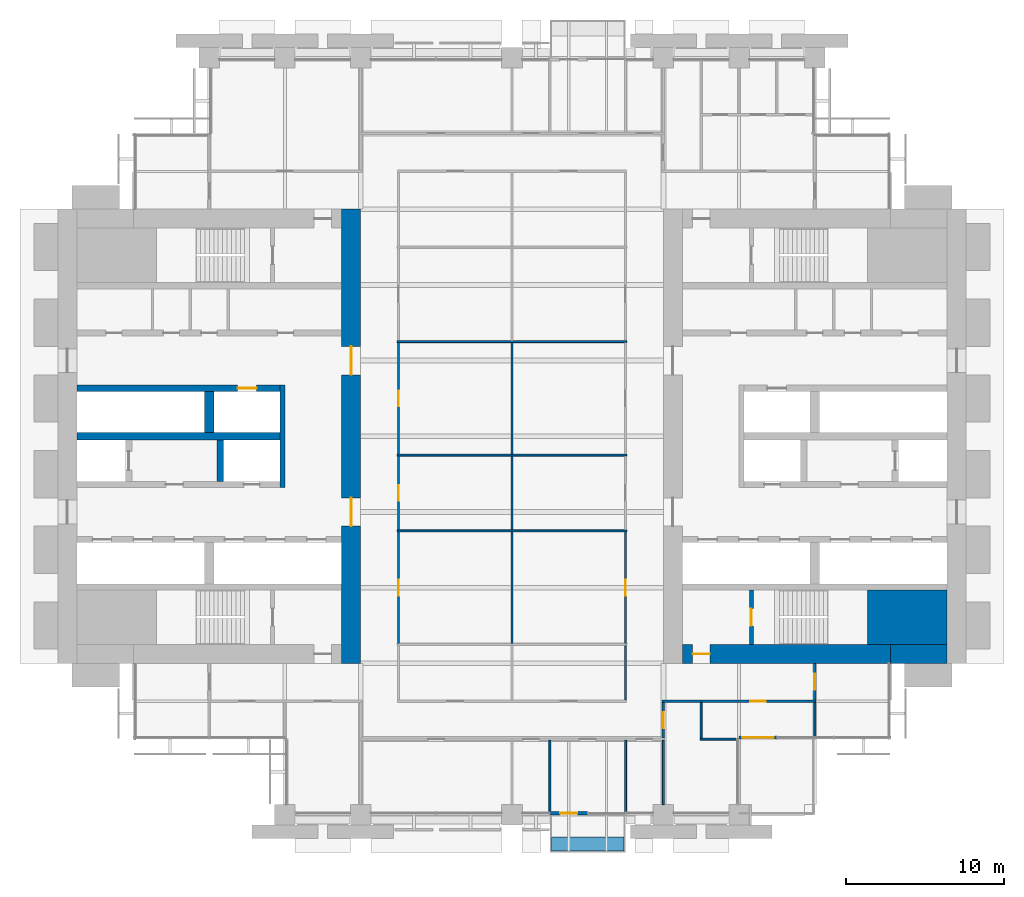
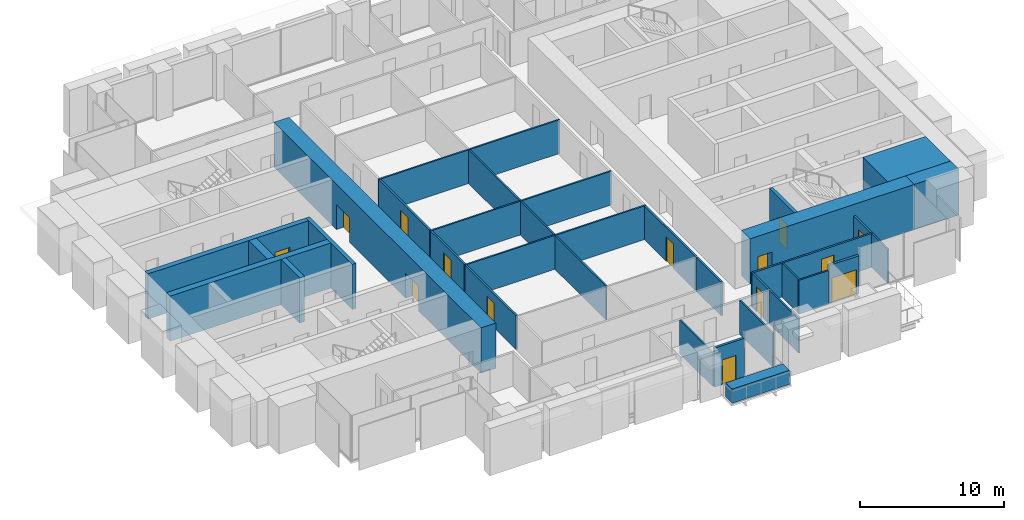
# One storey, part 10 of 15: 33 walls, 14 doors, 14 openings.
"""IFC4 building model written with IfcOpenShell, lengths in metres."""

from ifc_helpers import new_model, si_unit, direction, frame, frame_2d, origin, place, context, subcontext, project, spatial, rectangle, extrude, material, layer, layer_set, type_object, element, fill, save


model = new_model("IFC4")

# Units and contexts
model_context = context("Model", 3, precision=1e-05, world=origin(), true_north=direction((0.0, 1.0)))
body_context = subcontext(model_context, "Body", "Model", "MODEL_VIEW")
ifc_project = project(units=[si_unit("LENGTHUNIT", "METRE"), si_unit("AREAUNIT", "SQUARE_METRE"), si_unit("VOLUMEUNIT", "CUBIC_METRE"), si_unit("PLANEANGLEUNIT", "RADIAN"), si_unit("MASSUNIT", "GRAM", prefix="KILO")], contexts=[model_context])

# Site, building, storey
site_placement = place(None, origin())
site = spatial("IfcSite", under=ifc_project, at=site_placement, CompositionType="ELEMENT")
building_placement = place(site_placement, origin())
building = spatial("IfcBuilding", under=site, at=building_placement, Name="Baori Bourse Tower", CompositionType="ELEMENT")
storey_placement = place(building_placement, frame((0.0, 0.0, 59.0)))
storey = spatial("IfcBuildingStorey", under=building, at=storey_placement, Name="L12", CompositionType="ELEMENT", Elevation=59.0)

# Wall
ifc_material_1 = material(Name="Concrete f'c 70 MPa", Category="concrete")
wall_type_1 = type_object("IfcWallType", Name="Core corner block f'c 70", PredefinedType="SHEAR", material=ifc_material_1)
wall_1_placement = place(storey_placement, frame((51.35009765625, 12.52490234375, 0.0), z_axis=(0.0, 0.0, 1.0), x_axis=(1.0, 0.0, 0.0)))
element("IfcWall", 1, at=wall_1_placement, inside=storey, type_object=wall_type_1, Name="Core wall E05", PredefinedType="SHEAR", context=body_context, shape_type="SweptSolid", body=[
    extrude(rectangle(XDim=5.0498046875, YDim=3.449951171875, at=frame_2d((2.52490234375, 0.0))), origin(), (0.0, 0.0, 1.0), 3.840087890625),
])

# Wall, openings, doors
ifc_material_2 = material(Name="Concrete f'c 70 MPa", Category="concrete")
ifc_layer_1 = layer(ifc_material_2, 1.199951171875)
ifc_layer_set_1 = layer_set([ifc_layer_1], Name="Core wall 1200 f'c 70")
wall_type_2 = type_object("IfcWallType", Name="Core wall 1200 f'c 70", PredefinedType="SHEAR", material=ifc_layer_set_1)
wall_2_placement = place(storey_placement, frame((18.60009765625, 38.39990234375, 0.0), z_axis=(0.0, 0.0, 1.0), x_axis=(0.0, -1.0, 0.0)))
wall_2 = element("IfcWall", 2, at=wall_2_placement, inside=storey, type_object=wall_type_2, Name="Core wall W04", PredefinedType="SHEAR", context=body_context, shape_type="SweptSolid", body=[
    extrude(rectangle(XDim=28.7998046875, YDim=1.199951171875, at=frame_2d((14.39990234375, 0.0))), origin(), (0.0, 0.0, 1.0), 3.840087890625),
])
opening_1_placement = place(wall_2_placement, frame((18.300048828125, 0.0, 0.0)))
opening_1 = element("IfcOpeningElement", 3, at=opening_1_placement, cuts=wall_2, Name="Opening L12-D107", PredefinedType="OPENING", context=body_context, shape_type="SweptSolid", body=[
    extrude(rectangle(XDim=1.800048828125, YDim=2.10009765625, at=frame_2d((0.89990234375, 1.050048828125))), frame((0.0, 0.60986328125, 0.0), z_axis=(0.0, -1.0, 0.0), x_axis=(1.0, 0.0, 0.0)), (0.0, 0.0, 1.0), 1.219970703125),
])
opening_2_placement = place(wall_2_placement, frame((8.699951171875, 0.0, 0.0)))
opening_2 = element("IfcOpeningElement", 4, at=opening_2_placement, cuts=wall_2, Name="Opening L12-D108", PredefinedType="OPENING", context=body_context, shape_type="SweptSolid", body=[
    extrude(rectangle(XDim=1.800048828125, YDim=2.10009765625, at=frame_2d((0.89990234375, 1.050048828125))), frame((0.0, 0.60986328125, 0.0), z_axis=(0.0, -1.0, 0.0), x_axis=(1.0, 0.0, 0.0)), (0.0, 0.0, 1.0), 1.219970703125),
])
ifc_material_3 = material(Name="Painted steel door", Category="steel")
door_type_1 = type_object("IfcDoorType", Name="Core lobby door 1800", OperationType="DOUBLE_DOOR_SINGLE_SWING", PredefinedType="DOOR", material=ifc_material_3)
door_1_placement = place(opening_1_placement, origin())
door_1 = element("IfcDoor", 5, at=door_1_placement, inside=storey, type_object=door_type_1, Name="Lobby door W L12", OperationType="DOUBLE_DOOR_SINGLE_SWING", OverallHeight=2.10009765625, OverallWidth=1.800048828125, PredefinedType="DOOR", context=body_context, shape_type="SweptSolid", body=[
    extrude(rectangle(XDim=1.800048828125, YDim=2.10009765625, at=frame_2d((0.89990234375, 1.050048828125))), frame((0.0, 0.02490234375, 0.0), z_axis=(0.0, -1.0, 0.0), x_axis=(1.0, 0.0, 0.0)), (0.0, 0.0, 1.0), 0.050048828125),
])
fill(opening_1, door_1)
door_2_placement = place(opening_2_placement, origin())
door_2 = element("IfcDoor", 6, at=door_2_placement, inside=storey, type_object=door_type_1, Name="Lobby door W L12", OperationType="DOUBLE_DOOR_SINGLE_SWING", OverallHeight=2.10009765625, OverallWidth=1.800048828125, PredefinedType="DOOR", context=body_context, shape_type="SweptSolid", body=[
    extrude(rectangle(XDim=1.800048828125, YDim=2.10009765625, at=frame_2d((0.89990234375, 1.050048828125))), frame((0.0, 0.02490234375, 0.0), z_axis=(0.0, -1.0, 0.0), x_axis=(1.0, 0.0, 0.0)), (0.0, 0.0, 1.0), 0.050048828125),
])
fill(opening_2, door_2)

# Wall
wall_3_placement = place(storey_placement, frame((56.39990234375, 10.199951171875, 0.0), z_axis=(0.0, 0.0, 1.0), x_axis=(-1.0, 0.0, 0.0)))
element("IfcWall", 7, at=wall_3_placement, inside=storey, type_object=wall_type_2, Name="Core wall E02", PredefinedType="SHEAR", context=body_context, shape_type="SweptSolid", body=[
    extrude(rectangle(XDim=3.599853515625, YDim=1.199951171875, at=frame_2d((1.7998046875, 0.0))), origin(), (0.0, 0.0, 1.0), 3.840087890625),
])

# Wall, opening, door
wall_4_placement = place(storey_placement, frame((52.800048828125, 10.199951171875, 0.0), z_axis=(0.0, 0.0, 1.0), x_axis=(-1.0, 0.0, 0.0)))
wall_4 = element("IfcWall", 8, at=wall_4_placement, inside=storey, type_object=wall_type_2, Name="Core wall E03", PredefinedType="SHEAR", context=body_context, shape_type="SweptSolid", body=[
    extrude(rectangle(XDim=13.199951171875, YDim=1.199951171875, at=frame_2d((6.60009765625, 0.0))), origin(), (0.0, 0.0, 1.0), 3.840087890625),
])
opening_3_placement = place(wall_4_placement, frame((11.449951171875, 0.0, 0.0)))
opening_3 = element("IfcOpeningElement", 9, at=opening_3_placement, cuts=wall_4, Name="Opening L12-D202", PredefinedType="OPENING", context=body_context, shape_type="SweptSolid", body=[
    extrude(rectangle(XDim=1.10009765625, YDim=2.10009765625, at=frame_2d((0.550048828125, 1.050048828125))), frame((0.0, 0.60986328125, 0.0), z_axis=(0.0, -1.0, 0.0), x_axis=(1.0, 0.0, 0.0)), (0.0, 0.0, 1.0), 1.219970703125),
])
ifc_material_4 = material(Name="Painted steel door", Category="steel")
door_type_2 = type_object("IfcDoorType", Name="Stair door 1100", OperationType="SINGLE_SWING_LEFT", PredefinedType="DOOR", material=ifc_material_4)
door_3_placement = place(opening_3_placement, origin())
door_3 = element("IfcDoor", 10, at=door_3_placement, inside=storey, type_object=door_type_2, Name="Stair vestibule door A E L12", OperationType="SINGLE_SWING_LEFT", OverallHeight=2.10009765625, OverallWidth=1.10009765625, PredefinedType="DOOR", context=body_context, shape_type="SweptSolid", body=[
    extrude(rectangle(XDim=1.10009765625, YDim=2.10009765625, at=frame_2d((0.550048828125, 1.050048828125))), frame((0.0, 0.02490234375, 0.0), z_axis=(0.0, -1.0, 0.0), x_axis=(1.0, 0.0, 0.0)), (0.0, 0.0, 1.0), 0.050048828125),
])
fill(opening_3, door_3)

ifc_material_5 = material(Name="Gypsum board partition")
ifc_layer_2 = layer(ifc_material_5, 0.14990234375)
ifc_layer_set_2 = layer_set([ifc_layer_2], Name="Corridor partition 150")
wall_type_3 = type_object("IfcWallType", Name="Corridor partition 150", PredefinedType="PARTITIONING", material=ifc_layer_set_2)
wall_5_placement = place(storey_placement, frame((38.324951171875, 7.199951171875, 0.0), z_axis=(0.0, 0.0, 1.0), x_axis=(1.0, 0.0, 0.0)))
wall_5 = element("IfcWall", 11, at=wall_5_placement, inside=storey, type_object=wall_type_3, Name="Partition", PredefinedType="PARTITIONING", context=body_context, shape_type="SweptSolid", body=[
    extrude(rectangle(XDim=9.75, YDim=0.14990234375, at=frame_2d((4.875, 0.0))), origin(), (0.0, 0.0, 1.0), 2.86962890625),
])
opening_4_placement = place(wall_5_placement, frame((5.574951171875, 0.0, 0.0)))
opening_4 = element("IfcOpeningElement", 12, at=opening_4_placement, cuts=wall_5, Name="Opening L12-D09", PredefinedType="OPENING", context=body_context, shape_type="SweptSolid", body=[
    extrude(rectangle(XDim=1.0, YDim=2.10009765625, at=frame_2d((0.5, 1.050048828125))), frame((0.0, 0.0849609375, 0.0), z_axis=(0.0, -1.0, 0.0), x_axis=(1.0, 0.0, 0.0)), (0.0, 0.0, 1.0), 0.169921875),
])
ifc_material_6 = material(Name="Timber door leaf", Category="wood")
door_type_3 = type_object("IfcDoorType", Name="Door 1000 x 2100", OperationType="SINGLE_SWING_LEFT", PredefinedType="DOOR", material=ifc_material_6)
door_4_placement = place(opening_4_placement, origin())
door_4 = element("IfcDoor", 13, at=door_4_placement, inside=storey, type_object=door_type_3, Name="Door", OperationType="SINGLE_SWING_RIGHT", OverallHeight=2.10009765625, OverallWidth=1.0, PredefinedType="DOOR", context=body_context, shape_type="SweptSolid", body=[
    extrude(rectangle(XDim=1.0, YDim=2.10009765625, at=frame_2d((0.5, 1.050048828125))), frame((0.0, 0.02490234375, 0.0), z_axis=(0.0, -1.0, 0.0), x_axis=(1.0, 0.0, 0.0)), (0.0, 0.0, 1.0), 0.050048828125),
])
fill(opening_4, door_4)

wall_6_placement = place(storey_placement, frame((21.60009765625, 10.862548828125, 0.0), z_axis=(0.0, 0.0, 1.0), x_axis=(0.0, 1.0, 0.0)))
wall_6 = element("IfcWall", 14, at=wall_6_placement, inside=storey, type_object=wall_type_3, Name="Partition", PredefinedType="PARTITIONING", context=body_context, shape_type="SweptSolid", body=[
    extrude(rectangle(XDim=7.074951171875, YDim=0.14990234375, at=frame_2d((3.53759765625, 0.0))), origin(), (0.0, 0.0, 1.0), 2.86962890625),
])
opening_5_placement = place(wall_6_placement, frame((3.03759765625, 0.0, 0.0)))
opening_5 = element("IfcOpeningElement", 15, at=opening_5_placement, cuts=wall_6, Name="Opening L12-D23", PredefinedType="OPENING", context=body_context, shape_type="SweptSolid", body=[
    extrude(rectangle(XDim=1.0, YDim=2.10009765625, at=frame_2d((0.5, 1.050048828125))), frame((0.0, 0.0849609375, 0.0), z_axis=(0.0, -1.0, 0.0), x_axis=(1.0, 0.0, 0.0)), (0.0, 0.0, 1.0), 0.169921875),
])
door_5_placement = place(opening_5_placement, origin())
door_5 = element("IfcDoor", 16, at=door_5_placement, inside=storey, type_object=door_type_3, Name="Door", OperationType="SINGLE_SWING_LEFT", OverallHeight=2.10009765625, OverallWidth=1.0, PredefinedType="DOOR", context=body_context, shape_type="SweptSolid", body=[
    extrude(rectangle(XDim=1.0, YDim=2.10009765625, at=frame_2d((0.5, 1.050048828125))), frame((0.0, 0.02490234375, 0.0), z_axis=(0.0, -1.0, 0.0), x_axis=(1.0, 0.0, 0.0)), (0.0, 0.0, 1.0), 0.050048828125),
])
fill(opening_5, door_5)

wall_7_placement = place(storey_placement, frame((21.60009765625, 18.0625, 0.0), z_axis=(0.0, 0.0, 1.0), x_axis=(0.0, 1.0, 0.0)))
wall_7 = element("IfcWall", 17, at=wall_7_placement, inside=storey, type_object=wall_type_3, Name="Partition", PredefinedType="PARTITIONING", context=body_context, shape_type="SweptSolid", body=[
    extrude(rectangle(XDim=4.675048828125, YDim=0.14990234375, at=frame_2d((2.33740234375, 0.0))), origin(), (0.0, 0.0, 1.0), 2.86962890625),
])
opening_6_placement = place(wall_7_placement, frame((1.83740234375, 0.0, 0.0)))
opening_6 = element("IfcOpeningElement", 18, at=opening_6_placement, cuts=wall_7, Name="Opening L12-D24", PredefinedType="OPENING", context=body_context, shape_type="SweptSolid", body=[
    extrude(rectangle(XDim=1.0, YDim=2.10009765625, at=frame_2d((0.5, 1.050048828125))), frame((0.0, 0.0849609375, 0.0), z_axis=(0.0, -1.0, 0.0), x_axis=(1.0, 0.0, 0.0)), (0.0, 0.0, 1.0), 0.169921875),
])
door_6_placement = place(opening_6_placement, origin())
door_6 = element("IfcDoor", 19, at=door_6_placement, inside=storey, type_object=door_type_3, Name="Door", OperationType="SINGLE_SWING_LEFT", OverallHeight=2.10009765625, OverallWidth=1.0, PredefinedType="DOOR", context=body_context, shape_type="SweptSolid", body=[
    extrude(rectangle(XDim=1.0, YDim=2.10009765625, at=frame_2d((0.5, 1.050048828125))), frame((0.0, 0.02490234375, 0.0), z_axis=(0.0, -1.0, 0.0), x_axis=(1.0, 0.0, 0.0)), (0.0, 0.0, 1.0), 0.050048828125),
])
fill(opening_6, door_6)

wall_8_placement = place(storey_placement, frame((21.60009765625, 22.862548828125, 0.0), z_axis=(0.0, 0.0, 1.0), x_axis=(0.0, 1.0, 0.0)))
wall_8 = element("IfcWall", 20, at=wall_8_placement, inside=storey, type_object=wall_type_3, Name="Partition", PredefinedType="PARTITIONING", context=body_context, shape_type="SweptSolid", body=[
    extrude(rectangle(XDim=7.074951171875, YDim=0.14990234375, at=frame_2d((3.53759765625, 0.0))), origin(), (0.0, 0.0, 1.0), 2.86962890625),
])
opening_7_placement = place(wall_8_placement, frame((3.03759765625, 0.0, 0.0)))
opening_7 = element("IfcOpeningElement", 21, at=opening_7_placement, cuts=wall_8, Name="Opening L12-D25", PredefinedType="OPENING", context=body_context, shape_type="SweptSolid", body=[
    extrude(rectangle(XDim=1.0, YDim=2.10009765625, at=frame_2d((0.5, 1.050048828125))), frame((0.0, 0.0849609375, 0.0), z_axis=(0.0, -1.0, 0.0), x_axis=(1.0, 0.0, 0.0)), (0.0, 0.0, 1.0), 0.169921875),
])
door_7_placement = place(opening_7_placement, origin())
door_7 = element("IfcDoor", 22, at=door_7_placement, inside=storey, type_object=door_type_3, Name="Door", OperationType="SINGLE_SWING_LEFT", OverallHeight=2.10009765625, OverallWidth=1.0, PredefinedType="DOOR", context=body_context, shape_type="SweptSolid", body=[
    extrude(rectangle(XDim=1.0, YDim=2.10009765625, at=frame_2d((0.5, 1.050048828125))), frame((0.0, 0.02490234375, 0.0), z_axis=(0.0, -1.0, 0.0), x_axis=(1.0, 0.0, 0.0)), (0.0, 0.0, 1.0), 0.050048828125),
])
fill(opening_7, door_7)

# Wall
wall_9_placement = place(storey_placement, frame((36.0, 7.27490234375, 0.0), z_axis=(0.0, 0.0, 1.0), x_axis=(0.0, 1.0, 0.0)))
element("IfcWall", 23, at=wall_9_placement, inside=storey, type_object=wall_type_3, Name="Partition", PredefinedType="PARTITIONING", context=body_context, shape_type="SweptSolid", body=[
    extrude(rectangle(XDim=3.462646484375, YDim=0.14990234375, at=frame_2d((1.7314453125, 0.0))), origin(), (0.0, 0.0, 1.0), 2.86962890625),
])

# Wall, opening, door
wall_10_placement = place(storey_placement, frame((36.0, 10.862548828125, 0.0), z_axis=(0.0, 0.0, 1.0), x_axis=(0.0, 1.0, 0.0)))
wall_10 = element("IfcWall", 24, at=wall_10_placement, inside=storey, type_object=wall_type_3, Name="Partition", PredefinedType="PARTITIONING", context=body_context, shape_type="SweptSolid", body=[
    extrude(rectangle(XDim=7.074951171875, YDim=0.14990234375, at=frame_2d((3.53759765625, 0.0))), origin(), (0.0, 0.0, 1.0), 2.86962890625),
])
opening_8_placement = place(wall_10_placement, frame((3.03759765625, 0.0, 0.0)))
opening_8 = element("IfcOpeningElement", 25, at=opening_8_placement, cuts=wall_10, Name="Opening L12-D27", PredefinedType="OPENING", context=body_context, shape_type="SweptSolid", body=[
    extrude(rectangle(XDim=1.0, YDim=2.10009765625, at=frame_2d((0.5, 1.050048828125))), frame((0.0, 0.0849609375, 0.0), z_axis=(0.0, -1.0, 0.0), x_axis=(1.0, 0.0, 0.0)), (0.0, 0.0, 1.0), 0.169921875),
])
door_8_placement = place(opening_8_placement, origin())
door_8 = element("IfcDoor", 26, at=door_8_placement, inside=storey, type_object=door_type_3, Name="Door", OperationType="SINGLE_SWING_RIGHT", OverallHeight=2.10009765625, OverallWidth=1.0, PredefinedType="DOOR", context=body_context, shape_type="SweptSolid", body=[
    extrude(rectangle(XDim=1.0, YDim=2.10009765625, at=frame_2d((0.5, 1.050048828125))), frame((0.0, 0.02490234375, 0.0), z_axis=(0.0, -1.0, 0.0), x_axis=(1.0, 0.0, 0.0)), (0.0, 0.0, 1.0), 0.050048828125),
])
fill(opening_8, door_8)

wall_11_placement = place(storey_placement, frame((38.39990234375, 4.875, 0.0), z_axis=(0.0, 0.0, 1.0), x_axis=(0.0, 1.0, 0.0)))
wall_11 = element("IfcWall", 27, at=wall_11_placement, inside=storey, type_object=wall_type_3, Name="Partition", PredefinedType="PARTITIONING", context=body_context, shape_type="SweptSolid", body=[
    extrude(rectangle(XDim=2.25, YDim=0.14990234375, at=frame_2d((1.125, 0.0))), origin(), (0.0, 0.0, 1.0), 2.86962890625),
])
opening_9_placement = place(wall_11_placement, frame((0.625, 0.0, 0.0)))
opening_9 = element("IfcOpeningElement", 28, at=opening_9_placement, cuts=wall_11, Name="Opening L12-D31", PredefinedType="OPENING", context=body_context, shape_type="SweptSolid", body=[
    extrude(rectangle(XDim=1.0, YDim=2.10009765625, at=frame_2d((0.5, 1.050048828125))), frame((0.0, 0.0849609375, 0.0), z_axis=(0.0, -1.0, 0.0), x_axis=(1.0, 0.0, 0.0)), (0.0, 0.0, 1.0), 0.169921875),
])
door_9_placement = place(opening_9_placement, origin())
door_9 = element("IfcDoor", 29, at=door_9_placement, inside=storey, type_object=door_type_3, Name="Door", OperationType="SINGLE_SWING_LEFT", OverallHeight=2.10009765625, OverallWidth=1.0, PredefinedType="DOOR", context=body_context, shape_type="SweptSolid", body=[
    extrude(rectangle(XDim=1.0, YDim=2.10009765625, at=frame_2d((0.5, 1.050048828125))), frame((0.0, 0.02490234375, 0.0), z_axis=(0.0, -1.0, 0.0), x_axis=(1.0, 0.0, 0.0)), (0.0, 0.0, 1.0), 0.050048828125),
])
fill(opening_9, door_9)

wall_12_placement = place(storey_placement, frame((48.0, 7.27490234375, 0.0), z_axis=(0.0, 0.0, 1.0), x_axis=(0.0, 1.0, 0.0)))
wall_12 = element("IfcWall", 30, at=wall_12_placement, inside=storey, type_object=wall_type_3, Name="Partition", PredefinedType="PARTITIONING", context=body_context, shape_type="SweptSolid", body=[
    extrude(rectangle(XDim=2.3251953125, YDim=0.14990234375, at=frame_2d((1.16259765625, 0.0))), origin(), (0.0, 0.0, 1.0), 2.86962890625),
])
opening_10_placement = place(wall_12_placement, frame((0.66259765625, 0.0, 0.0)))
opening_10 = element("IfcOpeningElement", 31, at=opening_10_placement, cuts=wall_12, Name="Opening L12-D33", PredefinedType="OPENING", context=body_context, shape_type="SweptSolid", body=[
    extrude(rectangle(XDim=1.0, YDim=2.10009765625, at=frame_2d((0.5, 1.050048828125))), frame((0.0, 0.0849609375, 0.0), z_axis=(0.0, -1.0, 0.0), x_axis=(1.0, 0.0, 0.0)), (0.0, 0.0, 1.0), 0.169921875),
])
door_10_placement = place(opening_10_placement, origin())
door_10 = element("IfcDoor", 32, at=door_10_placement, inside=storey, type_object=door_type_3, Name="Door", OperationType="SINGLE_SWING_LEFT", OverallHeight=2.10009765625, OverallWidth=1.0, PredefinedType="DOOR", context=body_context, shape_type="SweptSolid", body=[
    extrude(rectangle(XDim=1.0, YDim=2.10009765625, at=frame_2d((0.5, 1.050048828125))), frame((0.0, 0.02490234375, 0.0), z_axis=(0.0, -1.0, 0.0), x_axis=(1.0, 0.0, 0.0)), (0.0, 0.0, 1.0), 0.050048828125),
])
fill(opening_10, door_10)

ifc_material_7 = material(Name="Pale anodised aluminium", Category="aluminium")
ifc_layer_3 = layer(ifc_material_7, 0.199951171875)
ifc_layer_set_3 = layer_set([ifc_layer_3], Name="EW1 External wall bay")
wall_type_4 = type_object("IfcWallType", Name="EW1 External wall bay", PredefinedType="SOLIDWALL", material=ifc_layer_set_3)
wall_13_placement = place(storey_placement, frame((31.199951171875, 0.10009765625, 0.0), z_axis=(0.0, 0.0, 1.0), x_axis=(1.0, 0.0, 0.0)))
wall_13 = element("IfcWall", 33, at=wall_13_placement, inside=storey, type_object=wall_type_4, Name="External wall bay L12 2", PredefinedType="SOLIDWALL", context=body_context, shape_type="SweptSolid", body=[
    extrude(rectangle(XDim=2.400146484375, YDim=0.199951171875, at=frame_2d((1.2001953125, 0.0))), origin(), (0.0, 0.0, 1.0), 3.314208984375),
])
opening_11_placement = place(wall_13_placement, frame((0.64990234375, 0.0, 0.0)))
opening_11 = element("IfcOpeningElement", 34, at=opening_11_placement, cuts=wall_13, Name="Opening L12-D92", PredefinedType="OPENING", context=body_context, shape_type="SweptSolid", body=[
    extrude(rectangle(XDim=1.10009765625, YDim=2.10009765625, at=frame_2d((0.550048828125, 1.050048828125))), frame((0.0, 0.10986328125, 0.0), z_axis=(0.0, -1.0, 0.0), x_axis=(1.0, 0.0, 0.0)), (0.0, 0.0, 1.0), 0.219970703125),
])
ifc_material_8 = material(Name="Pale anodised aluminium", Category="aluminium")
door_type_4 = type_object("IfcDoorType", Name="BL1 Balcony door", OperationType="SINGLE_SWING_LEFT", PredefinedType="DOOR", material=ifc_material_8)
door_11_placement = place(opening_11_placement, origin())
door_11 = element("IfcDoor", 35, at=door_11_placement, inside=storey, type_object=door_type_4, Name="Balcony door L12 2", OperationType="SINGLE_SWING_LEFT", OverallHeight=2.10009765625, OverallWidth=1.10009765625, PredefinedType="DOOR", context=body_context, shape_type="SweptSolid", body=[
    extrude(rectangle(XDim=1.10009765625, YDim=2.10009765625, at=frame_2d((0.550048828125, 1.050048828125))), frame((0.0, 0.02490234375, 0.0), z_axis=(0.0, -1.0, 0.0), x_axis=(1.0, 0.0, 0.0)), (0.0, 0.0, 1.0), 0.050048828125),
])
fill(opening_11, door_11)

wall_14_placement = place(storey_placement, frame((43.199951171875, 4.89990234375, 0.0), z_axis=(0.0, 0.0, 1.0), x_axis=(1.0, 0.0, 0.0)))
wall_14 = element("IfcWall", 36, at=wall_14_placement, inside=storey, type_object=wall_type_4, Name="External wall bay L12 3", PredefinedType="SOLIDWALL", context=body_context, shape_type="SweptSolid", body=[
    extrude(rectangle(XDim=2.400146484375, YDim=0.199951171875, at=frame_2d((1.2001953125, 0.0))), origin(), (0.0, 0.0, 1.0), 3.227783203125),
])
opening_12_placement = place(wall_14_placement, frame((0.199951171875, 0.0, 0.0)))
opening_12 = element("IfcOpeningElement", 37, at=opening_12_placement, cuts=wall_14, Name="Opening L12-D93", PredefinedType="OPENING", context=body_context, shape_type="SweptSolid", body=[
    extrude(rectangle(XDim=2.0, YDim=2.10009765625, at=frame_2d((1.0, 1.050048828125))), frame((0.0, 0.10986328125, 0.0), z_axis=(0.0, -1.0, 0.0), x_axis=(1.0, 0.0, 0.0)), (0.0, 0.0, 1.0), 0.219970703125),
])
ifc_material_9 = material(Name="Pale anodised aluminium", Category="aluminium")
door_type_5 = type_object("IfcDoorType", Name="TR1 Terrace door", OperationType="DOUBLE_DOOR_SINGLE_SWING", PredefinedType="DOOR", material=ifc_material_9)
door_12_placement = place(opening_12_placement, origin())
door_12 = element("IfcDoor", 38, at=door_12_placement, inside=storey, type_object=door_type_5, Name="Terrace door L12 3", OperationType="SINGLE_SWING_LEFT", OverallHeight=2.10009765625, OverallWidth=2.0, PredefinedType="DOOR", context=body_context, shape_type="SweptSolid", body=[
    extrude(rectangle(XDim=2.0, YDim=2.10009765625, at=frame_2d((1.0, 1.050048828125))), frame((0.0, 0.02490234375, 0.0), z_axis=(0.0, -1.0, 0.0), x_axis=(1.0, 0.0, 0.0)), (0.0, 0.0, 1.0), 0.050048828125),
])
fill(opening_12, door_12)

# Walls
ifc_material_10 = material(Name="Concrete f'c 40 MPa", Category="concrete")
ifc_layer_4 = layer(ifc_material_10, 0.89990234375)
ifc_layer_set_4 = layer_set([ifc_layer_4], Name="PW1 Planter wall")
wall_type_5 = type_object("IfcWallType", Name="PW1 Planter wall", PredefinedType="USERDEFINED", material=ifc_layer_set_4)
wall_15_placement = place(storey_placement, frame((31.300048828125, -1.85009765625, 0.0), z_axis=(0.0, 0.0, 1.0), x_axis=(1.0, 0.0, 0.0)))
element("IfcWall", 39, at=wall_15_placement, inside=storey, type_object=wall_type_5, Name="Planter balcony S L12 1", ObjectType="PLANTER", PredefinedType="USERDEFINED", context=body_context, shape_type="SweptSolid", body=[
    extrude(rectangle(XDim=4.599853515625, YDim=0.89990234375, at=frame_2d((2.2998046875, 0.0))), origin(), (0.0, 0.0, 1.0), 1.199951171875),
])
ifc_material_11 = material(Name="Gypsum board partition")
ifc_layer_5 = layer(ifc_material_11, 0.125)
ifc_layer_set_5 = layer_set([ifc_layer_5], Name="Partition 125")
wall_type_6 = type_object("IfcWallType", Name="Partition 125", PredefinedType="PARTITIONING", material=ifc_layer_set_5)
wall_16_placement = place(storey_placement, frame((40.737548828125, 4.800048828125, 0.0), z_axis=(0.0, 0.0, 1.0), x_axis=(1.0, 0.0, 0.0)))
element("IfcWall", 40, at=wall_16_placement, inside=storey, type_object=wall_type_6, Name="Partition", PredefinedType="PARTITIONING", context=body_context, shape_type="SweptSolid", body=[
    extrude(rectangle(XDim=2.362548828125, YDim=0.125, at=frame_2d((1.18115234375, 0.0))), origin(), (0.0, 0.0, 1.0), 2.86962890625),
])
for number, where, z_axis, x_axis, name in (
    (41, (21.52490234375, 18.0, 0.0), (0.0, 0.0, 1.0), (1.0, 0.0, 0.0), "Partition"),
    (42, (21.52490234375, 22.800048828125, 0.0), (0.0, 0.0, 1.0), (1.0, 0.0, 0.0), "Partition"),
    (43, (21.52490234375, 30.0, 0.0), (0.0, 0.0, 1.0), (1.0, 0.0, 0.0), "Partition"),
):
    element("IfcWall", number, at=place(storey_placement, frame(where, z_axis=z_axis, x_axis=x_axis)), inside=storey, type_object=wall_type_6, Name=name, PredefinedType="PARTITIONING", context=body_context, shape_type="SweptSolid", body=[
        extrude(rectangle(XDim=14.550048828125, YDim=0.125, at=frame_2d((7.27490234375, 0.0))), origin(), (0.0, 0.0, 1.0), 2.86962890625),
    ])
wall_17_placement = place(storey_placement, frame((28.800048828125, 10.862548828125, 0.0), z_axis=(0.0, 0.0, 1.0), x_axis=(0.0, 1.0, 0.0)))
element("IfcWall", 44, at=wall_17_placement, inside=storey, type_object=wall_type_6, Name="Partition", PredefinedType="PARTITIONING", context=body_context, shape_type="SweptSolid", body=[
    extrude(rectangle(XDim=7.074951171875, YDim=0.125, at=frame_2d((3.53759765625, 0.0))), origin(), (0.0, 0.0, 1.0), 2.86962890625),
])
wall_18_placement = place(storey_placement, frame((28.800048828125, 18.0625, 0.0), z_axis=(0.0, 0.0, 1.0), x_axis=(0.0, 1.0, 0.0)))
element("IfcWall", 45, at=wall_18_placement, inside=storey, type_object=wall_type_6, Name="Partition", PredefinedType="PARTITIONING", context=body_context, shape_type="SweptSolid", body=[
    extrude(rectangle(XDim=4.675048828125, YDim=0.125, at=frame_2d((2.33740234375, 0.0))), origin(), (0.0, 0.0, 1.0), 2.86962890625),
])
wall_19_placement = place(storey_placement, frame((28.800048828125, 22.862548828125, 0.0), z_axis=(0.0, 0.0, 1.0), x_axis=(0.0, 1.0, 0.0)))
element("IfcWall", 46, at=wall_19_placement, inside=storey, type_object=wall_type_6, Name="Partition", PredefinedType="PARTITIONING", context=body_context, shape_type="SweptSolid", body=[
    extrude(rectangle(XDim=7.074951171875, YDim=0.125, at=frame_2d((3.53759765625, 0.0))), origin(), (0.0, 0.0, 1.0), 2.86962890625),
])
for number, where, z_axis, x_axis, name in (
    (47, (31.199951171875, 0.10009765625, 0.0), (0.0, 0.0, 1.0), (0.0, 1.0, 0.0), "Partition"),
    (48, (36.0, 0.10009765625, 0.0), (0.0, 0.0, 1.0), (0.0, 1.0, 0.0), "Partition"),
):
    element("IfcWall", number, at=place(storey_placement, frame(where, z_axis=z_axis, x_axis=x_axis)), inside=storey, type_object=wall_type_6, Name=name, PredefinedType="PARTITIONING", context=body_context, shape_type="SweptSolid", body=[
        extrude(rectangle(XDim=4.625, YDim=0.125, at=frame_2d((2.3125, 0.0))), origin(), (0.0, 0.0, 1.0), 2.86962890625),
    ])
wall_20_placement = place(storey_placement, frame((38.39990234375, 0.64990234375, 0.0), z_axis=(0.0, 0.0, 1.0), x_axis=(0.0, 1.0, 0.0)))
element("IfcWall", 49, at=wall_20_placement, inside=storey, type_object=wall_type_6, Name="Partition", PredefinedType="PARTITIONING", context=body_context, shape_type="SweptSolid", body=[
    extrude(rectangle(XDim=4.0751953125, YDim=0.125, at=frame_2d((2.03759765625, 0.0))), origin(), (0.0, 0.0, 1.0), 2.86962890625),
])
wall_21_placement = place(storey_placement, frame((40.800048828125, 4.862548828125, 0.0), z_axis=(0.0, 0.0, 1.0), x_axis=(0.0, 1.0, 0.0)))
element("IfcWall", 50, at=wall_21_placement, inside=storey, type_object=wall_type_6, Name="Partition", PredefinedType="PARTITIONING", context=body_context, shape_type="SweptSolid", body=[
    extrude(rectangle(XDim=2.262451171875, YDim=0.125, at=frame_2d((1.13134765625, 0.0))), origin(), (0.0, 0.0, 1.0), 2.86962890625),
])
wall_22_placement = place(storey_placement, frame((48.0, 4.89990234375, 0.0), z_axis=(0.0, 0.0, 1.0), x_axis=(0.0, 1.0, 0.0)))
element("IfcWall", 51, at=wall_22_placement, inside=storey, type_object=wall_type_6, Name="Partition", PredefinedType="PARTITIONING", context=body_context, shape_type="SweptSolid", body=[
    extrude(rectangle(XDim=2.22509765625, YDim=0.125, at=frame_2d((1.112548828125, 0.0))), origin(), (0.0, 0.0, 1.0), 2.86962890625),
])

# Wall, opening, door
ifc_material_12 = material(Name="Concrete f'c 70 MPa", Category="concrete")
ifc_layer_6 = layer(ifc_material_12, 0.25)
ifc_layer_set_6 = layer_set([ifc_layer_6], Name="Shaft wall 250 f'c 70")
wall_type_7 = type_object("IfcWallType", Name="Shaft wall 250 f'c 70", PredefinedType="SHEAR", material=ifc_layer_set_6)
wall_23_placement = place(storey_placement, frame((43.97509765625, 10.800048828125, 0.0), z_axis=(0.0, 0.0, 1.0), x_axis=(0.0, 1.0, 0.0)))
wall_23 = element("IfcWall", 52, at=wall_23_placement, inside=storey, type_object=wall_type_7, Name="Core wall E06", PredefinedType="SHEAR", context=body_context, shape_type="SweptSolid", body=[
    extrude(rectangle(XDim=3.449951171875, YDim=0.25, at=frame_2d((1.72509765625, 0.0))), origin(), (0.0, 0.0, 1.0), 3.840087890625),
])
opening_13_placement = place(wall_23_placement, frame((1.175048828125, 0.0, 0.0)))
opening_13 = element("IfcOpeningElement", 53, at=opening_13_placement, cuts=wall_23, Name="Opening L12-D201", PredefinedType="OPENING", context=body_context, shape_type="SweptSolid", body=[
    extrude(rectangle(XDim=1.10009765625, YDim=2.10009765625, at=frame_2d((0.550048828125, 1.050048828125))), frame((0.0, 0.135009765625, 0.0), z_axis=(0.0, -1.0, 0.0), x_axis=(1.0, 0.0, 0.0)), (0.0, 0.0, 1.0), 0.27001953125),
])
door_13_placement = place(opening_13_placement, origin())
door_13 = element("IfcDoor", 54, at=door_13_placement, inside=storey, type_object=door_type_2, Name="Stair door A E L12", OperationType="SINGLE_SWING_LEFT", OverallHeight=2.10009765625, OverallWidth=1.10009765625, PredefinedType="DOOR", context=body_context, shape_type="SweptSolid", body=[
    extrude(rectangle(XDim=1.10009765625, YDim=2.10009765625, at=frame_2d((0.550048828125, 1.050048828125))), frame((0.0, 0.02490234375, 0.0), z_axis=(0.0, -1.0, 0.0), x_axis=(1.0, 0.0, 0.0)), (0.0, 0.0, 1.0), 0.050048828125),
])
fill(opening_13, door_13)

# Walls
ifc_material_13 = material(Name="Concrete f'c 70 MPa", Category="concrete")
ifc_layer_7 = layer(ifc_material_13, 0.300048828125)
ifc_layer_set_7 = layer_set([ifc_layer_7], Name="Shaft wall 300 f'c 70")
wall_type_8 = type_object("IfcWallType", Name="Shaft wall 300 f'c 70", PredefinedType="SHEAR", material=ifc_layer_set_7)
wall_24_placement = place(storey_placement, frame((14.25, 20.75, 0.0), z_axis=(0.0, 0.0, 1.0), x_axis=(0.0, 1.0, 0.0)))
element("IfcWall", 55, at=wall_24_placement, inside=storey, type_object=wall_type_8, Name="Core wall W11", PredefinedType="SHEAR", context=body_context, shape_type="SweptSolid", body=[
    extrude(rectangle(XDim=6.5, YDim=0.300048828125, at=frame_2d((3.25, 0.0))), origin(), (0.0, 0.0, 1.0), 3.840087890625),
])
ifc_material_14 = material(Name="Concrete f'c 70 MPa", Category="concrete")
ifc_layer_8 = layer(ifc_material_14, 0.39990234375)
ifc_layer_set_8 = layer_set([ifc_layer_8], Name="Shaft wall 400 f'c 70")
wall_type_9 = type_object("IfcWallType", Name="Shaft wall 400 f'c 70", PredefinedType="SHEAR", material=ifc_layer_set_8)
wall_25_placement = place(storey_placement, frame((10.300048828125, 21.14990234375, 0.0), z_axis=(0.0, 0.0, 1.0), x_axis=(0.0, 1.0, 0.0)))
element("IfcWall", 56, at=wall_25_placement, inside=storey, type_object=wall_type_9, Name="Core wall W13", PredefinedType="SHEAR", context=body_context, shape_type="SweptSolid", body=[
    extrude(rectangle(XDim=2.60009765625, YDim=0.39990234375, at=frame_2d((1.300048828125, 0.0))), origin(), (0.0, 0.0, 1.0), 3.840087890625),
])

# Wall, opening, door
wall_26_placement = place(storey_placement, frame((1.199951171875, 27.050048828125, 0.0), z_axis=(0.0, 0.0, 1.0), x_axis=(1.0, 0.0, 0.0)))
wall_26 = element("IfcWall", 57, at=wall_26_placement, inside=storey, type_object=wall_type_9, Name="Core wall W16", PredefinedType="SHEAR", context=body_context, shape_type="SweptSolid", body=[
    extrude(rectangle(XDim=12.900146484375, YDim=0.39990234375, at=frame_2d((6.4501953125, 0.0))), origin(), (0.0, 0.0, 1.0), 3.840087890625),
])
opening_14_placement = place(wall_26_placement, frame((10.199951171875, 0.0, 0.0)))
opening_14 = element("IfcOpeningElement", 58, at=opening_14_placement, cuts=wall_26, Name="Opening L12-D119", PredefinedType="OPENING", context=body_context, shape_type="SweptSolid", body=[
    extrude(rectangle(XDim=1.199951171875, YDim=2.10009765625, at=frame_2d((0.60009765625, 1.050048828125))), frame((0.0, 0.2099609375, 0.0), z_axis=(0.0, -1.0, 0.0), x_axis=(1.0, 0.0, 0.0)), (0.0, 0.0, 1.0), 0.419921875),
])
ifc_material_15 = material(Name="Stainless steel door", Category="steel")
door_type_6 = type_object("IfcDoorType", Name="Lift landing door", OperationType="DOUBLE_DOOR_SLIDING", PredefinedType="DOOR", material=ifc_material_15)
door_14_placement = place(opening_14_placement, origin())
door_14 = element("IfcDoor", 59, at=door_14_placement, inside=storey, type_object=door_type_6, Name="Lift landing door SV1 W L12", OperationType="DOUBLE_DOOR_SLIDING", OverallHeight=2.10009765625, OverallWidth=1.199951171875, PredefinedType="DOOR", context=body_context, shape_type="SweptSolid", body=[
    extrude(rectangle(XDim=1.199951171875, YDim=2.10009765625, at=frame_2d((0.60009765625, 1.050048828125))), frame((0.0, 0.02490234375, 0.0), z_axis=(0.0, -1.0, 0.0), x_axis=(1.0, 0.0, 0.0)), (0.0, 0.0, 1.0), 0.050048828125),
])
fill(opening_14, door_14)

# Walls
ifc_material_16 = material(Name="Concrete f'c 70 MPa", Category="concrete")
ifc_layer_9 = layer(ifc_material_16, 0.5)
ifc_layer_set_9 = layer_set([ifc_layer_9], Name="Shaft wall 500 f'c 70")
wall_type_10 = type_object("IfcWallType", Name="Shaft wall 500 f'c 70", PredefinedType="SHEAR", material=ifc_layer_set_9)
wall_27_placement = place(storey_placement, frame((1.199951171875, 24.0, 0.0), z_axis=(0.0, 0.0, 1.0), x_axis=(1.0, 0.0, 0.0)))
element("IfcWall", 60, at=wall_27_placement, inside=storey, type_object=wall_type_10, Name="Core wall W14", PredefinedType="SHEAR", context=body_context, shape_type="SweptSolid", body=[
    extrude(rectangle(XDim=12.900146484375, YDim=0.5, at=frame_2d((6.4501953125, 0.0))), origin(), (0.0, 0.0, 1.0), 3.840087890625),
])
ifc_material_17 = material(Name="Concrete f'c 70 MPa", Category="concrete")
ifc_layer_10 = layer(ifc_material_17, 0.60009765625)
ifc_layer_set_10 = layer_set([ifc_layer_10], Name="Shaft wall 600 f'c 70")
wall_type_11 = type_object("IfcWallType", Name="Shaft wall 600 f'c 70", PredefinedType="SHEAR", material=ifc_layer_set_10)
wall_28_placement = place(storey_placement, frame((9.60009765625, 24.25, 0.0), z_axis=(0.0, 0.0, 1.0), x_axis=(0.0, 1.0, 0.0)))
element("IfcWall", 61, at=wall_28_placement, inside=storey, type_object=wall_type_11, Name="Core wall W15", PredefinedType="SHEAR", context=body_context, shape_type="SweptSolid", body=[
    extrude(rectangle(XDim=2.60009765625, YDim=0.60009765625, at=frame_2d((1.300048828125, 0.0))), origin(), (0.0, 0.0, 1.0), 3.840087890625),
])

save(model, "model.ifc")
